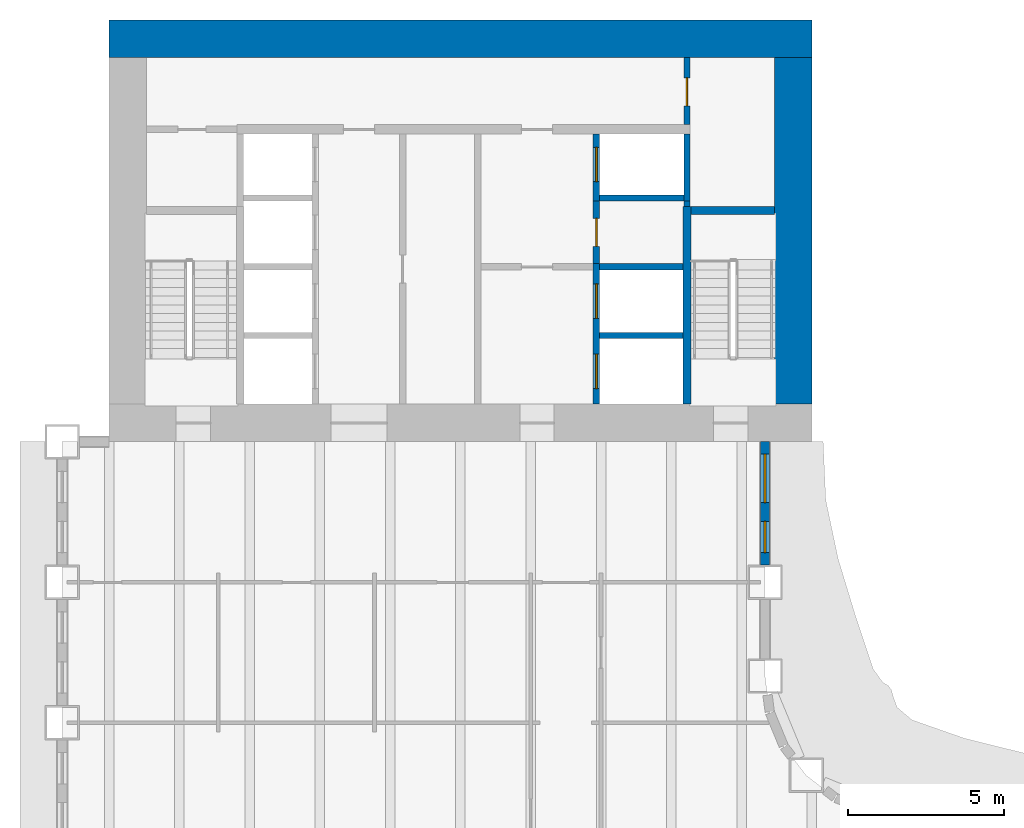
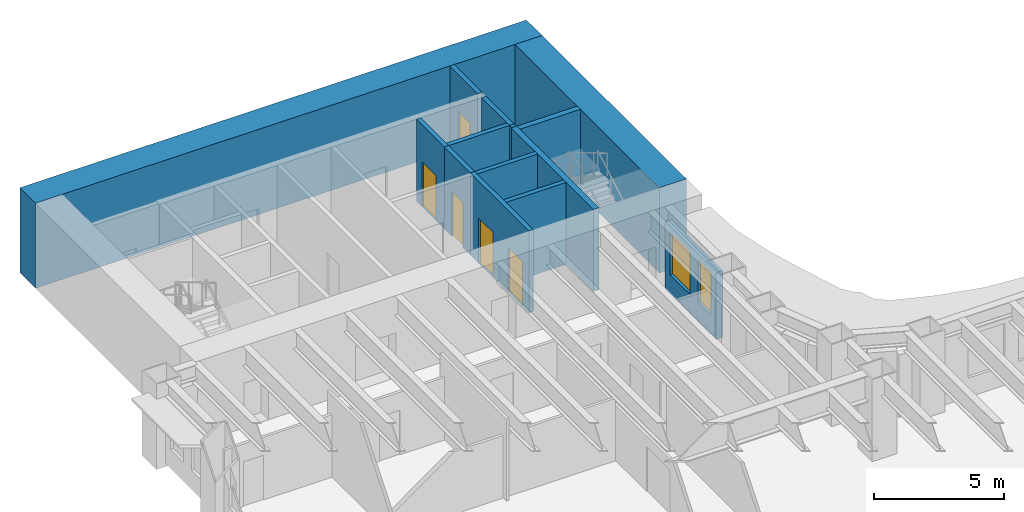
# One storey, part 8 of 15: 14 walls, 5 doors, 2 windows, 7 openings.
"""IFC4 building model written with IfcOpenShell, lengths in metres."""

from ifc_helpers import new_model, si_unit, direction, frame, frame_2d, origin, place, context, subcontext, project, spatial, rectangle, extrude, material, layer, layer_set, type_object, element, fill, save


model = new_model("IFC4")

# Units and contexts
model_context = context("Model", 3, precision=1e-05, world=origin(), true_north=direction((0.0, 1.0)))
body_context = subcontext(model_context, "Body", "Model", "MODEL_VIEW")
ifc_project = project(units=[si_unit("LENGTHUNIT", "METRE"), si_unit("AREAUNIT", "SQUARE_METRE"), si_unit("VOLUMEUNIT", "CUBIC_METRE"), si_unit("PLANEANGLEUNIT", "RADIAN"), si_unit("MASSUNIT", "GRAM", prefix="KILO")], contexts=[model_context])

# Site, building, storey
site_placement = place(None, origin())
site = spatial("IfcSite", under=ifc_project, at=site_placement, CompositionType="ELEMENT")
building_placement = place(site_placement, origin())
building = spatial("IfcBuilding", under=site, at=building_placement, Name="Sennacour Bend Tower", CompositionType="ELEMENT")
storey_placement = place(building_placement, frame((0.0, 0.0, 61.0)))
storey = spatial("IfcBuildingStorey", under=building, at=storey_placement, Name="L13", CompositionType="ELEMENT", Elevation=61.0)

# Walls
ifc_material_1 = material(Name="Concrete C80/95", Category="concrete")
ifc_layer_1 = layer(ifc_material_1, 1.199951171875, Name="Concrete C80/95", Category="concrete")
ifc_layer_set_1 = layer_set([ifc_layer_1], Name="Concrete C80/95")
wall_type_1 = type_object("IfcWallType", Name="Core wall 1200 C80/95", PredefinedType="SHEAR", material=ifc_layer_set_1)
wall_1_placement = place(storey_placement, frame((0.0, 48.89990234375, -0.14990234375), z_axis=(0.0, 0.0, 1.0), x_axis=(1.0, 0.0, 0.0)))
element("IfcWall", 1, at=wall_1_placement, inside=storey, type_object=wall_type_1, Name="Core B wall L13 N", PredefinedType="SHEAR", context=body_context, shape_type="SweptSolid", body=[
    extrude(rectangle(XDim=22.5, YDim=1.199951171875, at=frame_2d((11.25, 0.0))), origin(), (0.0, 0.0, 1.0), 4.0),
])
wall_2_placement = place(storey_placement, frame((21.89990234375, 37.199951171875, -0.14990234375), z_axis=(0.0, 0.0, 1.0), x_axis=(0.0, 1.0, 0.0)))
element("IfcWall", 2, at=wall_2_placement, inside=storey, type_object=wall_type_1, Name="Core B wall L13 E", PredefinedType="SHEAR", context=body_context, shape_type="SweptSolid", body=[
    extrude(rectangle(XDim=11.10009765625, YDim=1.199951171875, at=frame_2d((5.550048828125, 0.0))), origin(), (0.0, 0.0, 1.0), 4.0),
])

# Wall, opening, door
ifc_material_2 = material(Name="Fire-rated plasterboard partition on steel studs", Category="steel")
ifc_layer_2 = layer(ifc_material_2, 0.199951171875, Name="Fire-rated plasterboard partition on steel studs", Category="steel")
ifc_layer_set_2 = layer_set([ifc_layer_2], Name="Fire-rated plasterboard partition on steel studs")
wall_type_2 = type_object("IfcWallType", Name="Rated partition 200", PredefinedType="PARTITIONING", material=ifc_layer_set_2)
wall_3_placement = place(storey_placement, frame((15.60009765625, 41.699951171875, 0.0), z_axis=(0.0, 0.0, 1.0), x_axis=(0.0, 1.0, 0.0)))
wall_3 = element("IfcWall", 3, at=wall_3_placement, inside=storey, type_object=wall_type_2, Name="P-L13-W015", PredefinedType="PARTITIONING", context=body_context, shape_type="SweptSolid", body=[
    extrude(rectangle(XDim=2.0, YDim=0.199951171875, at=frame_2d((1.0, 0.0))), origin(), (0.0, 0.0, 1.0), 3.85009765625),
])
opening_1_placement = place(wall_3_placement, frame((0.550048828125, 0.0, 0.0)))
opening_1 = element("IfcOpeningElement", 4, at=opening_1_placement, cuts=wall_3, Name="Opening SV", PredefinedType="OPENING", context=body_context, shape_type="SweptSolid", body=[
    extrude(rectangle(XDim=0.89990234375, YDim=2.10009765625, at=frame_2d((0.449951171875, 1.050048828125))), frame((0.0, 0.10986328125, 0.0), z_axis=(0.0, -1.0, 0.0), x_axis=(1.0, 0.0, 0.0)), (0.0, 0.0, 1.0), 0.219970703125),
])
ifc_material_3 = material(Name="Painted steel", Category="steel")
door_type_1 = type_object("IfcDoorType", Name="DR-SERVICE-900", OperationType="NOTDEFINED", PredefinedType="DOOR", material=ifc_material_3)
door_1_placement = place(opening_1_placement, origin())
door_1 = element("IfcDoor", 5, at=door_1_placement, inside=storey, type_object=door_type_1, Name="Door", OperationType="SINGLE_SWING_RIGHT", OverallHeight=2.10009765625, OverallWidth=0.89990234375, PredefinedType="DOOR", context=body_context, shape_type="SweptSolid", body=[
    extrude(rectangle(XDim=0.89990234375, YDim=2.10009765625, at=frame_2d((0.449951171875, 1.050048828125))), frame((0.0, 0.02490234375, 0.0), z_axis=(0.0, -1.0, 0.0), x_axis=(1.0, 0.0, 0.0)), (0.0, 0.0, 1.0), 0.050048828125),
])
fill(opening_1, door_1)

# Wall
wall_4_placement = place(storey_placement, frame((18.5, 43.52490234375, 0.0), z_axis=(0.0, 0.0, 1.0), x_axis=(0.0, 1.0, 0.0)))
element("IfcWall", 6, at=wall_4_placement, inside=storey, type_object=wall_type_2, Name="P-L13-W019", PredefinedType="PARTITIONING", context=body_context, shape_type="SweptSolid", body=[
    extrude(rectangle(XDim=0.175048828125, YDim=0.199951171875, at=frame_2d((0.08740234375, 0.0))), origin(), (0.0, 0.0, 1.0), 3.85009765625),
])

# Wall, opening, door
wall_5_placement = place(storey_placement, frame((18.5, 46.14990234375, 0.0), z_axis=(0.0, 0.0, 1.0), x_axis=(0.0, 1.0, 0.0)))
wall_5 = element("IfcWall", 7, at=wall_5_placement, inside=storey, type_object=wall_type_2, Name="P-L13-W021", PredefinedType="PARTITIONING", context=body_context, shape_type="SweptSolid", body=[
    extrude(rectangle(XDim=2.150146484375, YDim=0.199951171875, at=frame_2d((1.0751953125, 0.0))), origin(), (0.0, 0.0, 1.0), 3.85009765625),
])
opening_2_placement = place(wall_5_placement, frame((0.60009765625, 0.0, 0.0)))
opening_2 = element("IfcOpeningElement", 8, at=opening_2_placement, cuts=wall_5, Name="Opening SV", PredefinedType="OPENING", context=body_context, shape_type="SweptSolid", body=[
    extrude(rectangle(XDim=0.89990234375, YDim=2.10009765625, at=frame_2d((0.449951171875, 1.050048828125))), frame((0.0, 0.10986328125, 0.0), z_axis=(0.0, -1.0, 0.0), x_axis=(1.0, 0.0, 0.0)), (0.0, 0.0, 1.0), 0.219970703125),
])
door_2_placement = place(opening_2_placement, origin())
door_2 = element("IfcDoor", 9, at=door_2_placement, inside=storey, type_object=door_type_1, Name="Door", OperationType="SINGLE_SWING_LEFT", OverallHeight=2.10009765625, OverallWidth=0.89990234375, PredefinedType="DOOR", context=body_context, shape_type="SweptSolid", body=[
    extrude(rectangle(XDim=0.89990234375, YDim=2.10009765625, at=frame_2d((0.449951171875, 1.050048828125))), frame((0.0, 0.02490234375, 0.0), z_axis=(0.0, -1.0, 0.0), x_axis=(1.0, 0.0, 0.0)), (0.0, 0.0, 1.0), 0.050048828125),
])
fill(opening_2, door_2)

# Wall, openings, windows
ifc_material_4 = material(Name="Warm limestone cladding", Category="masonry")
ifc_layer_3 = layer(ifc_material_4, 0.050048828125, Name="Warm limestone cladding", Category="masonry")
ifc_material_5 = material(Name="Precast concrete C40/50", Category="concrete")
ifc_layer_4 = layer(ifc_material_5, 0.25, Name="Precast concrete C40/50", Category="concrete")
ifc_layer_set_3 = layer_set([ifc_layer_3, ifc_layer_4], Name="Precast concrete C40/50 with limestone cladding")
wall_type_3 = type_object("IfcWallType", Name="STONE-CLAD PRECAST SPANDREL 300", PredefinedType="STANDARD", material=ifc_layer_set_3)
wall_6_placement = place(storey_placement, frame((21.0, 32.050048828125, 0.0), z_axis=(0.0, 0.0, 1.0), x_axis=(0.0, 1.0, 0.0)))
wall_6 = element("IfcWall", 10, at=wall_6_placement, inside=storey, type_object=wall_type_3, Name="Stone spandrel and pier wall L13 15.01", PredefinedType="STANDARD", context=body_context, shape_type="SweptSolid", body=[
    extrude(rectangle(XDim=3.949951171875, YDim=0.300048828125, at=frame_2d((1.97509765625, 0.0))), origin(), (0.0, 0.0, 1.0), 3.14404296875),
])
opening_3_placement = place(wall_6_placement, frame((0.39990234375, 0.0, 0.89990234375)))
opening_3 = element("IfcOpeningElement", 11, at=opening_3_placement, cuts=wall_6, Name="Opening W8", PredefinedType="OPENING", context=body_context, shape_type="SweptSolid", body=[
    extrude(rectangle(XDim=1.0, YDim=2.0, at=frame_2d((0.5, 1.0))), frame((0.0, 0.16015625, 0.0), z_axis=(0.0, -1.0, 0.0), x_axis=(1.0, 0.0, 0.0)), (0.0, 0.0, 1.0), 0.320068359375),
])
opening_4_placement = place(wall_6_placement, frame((2.0, 0.0, 0.89990234375)))
opening_4 = element("IfcOpeningElement", 12, at=opening_4_placement, cuts=wall_6, Name="Opening W9", PredefinedType="OPENING", context=body_context, shape_type="SweptSolid", body=[
    extrude(rectangle(XDim=1.550048828125, YDim=2.0, at=frame_2d((0.77490234375, 1.0))), frame((0.0, 0.16015625, 0.0), z_axis=(0.0, -1.0, 0.0), x_axis=(1.0, 0.0, 0.0)), (0.0, 0.0, 1.0), 0.320068359375),
])
ifc_material_6 = material(Name="Clear low-emissivity glass", Category="glass")
window_type_1 = type_object("IfcWindowType", Name="WIN-RIBBON-1000x2000", PartitioningType="SINGLE_PANEL", PredefinedType="WINDOW", material=ifc_material_6)
window_1_placement = place(opening_3_placement, origin())
window_1 = element("IfcWindow", 13, at=window_1_placement, inside=storey, type_object=window_type_1, Name="Ribbon window L13 15.01.0", OverallHeight=2.0, OverallWidth=1.0, PartitioningType="SINGLE_PANEL", PredefinedType="WINDOW", context=body_context, shape_type="SweptSolid", body=[
    extrude(rectangle(XDim=1.0, YDim=2.0, at=frame_2d((0.5, 1.0))), frame((0.0, 0.030029296875, 0.0), z_axis=(0.0, -1.0, 0.0), x_axis=(1.0, 0.0, 0.0)), (0.0, 0.0, 1.0), 0.06005859375),
])
fill(opening_3, window_1)
window_type_2 = type_object("IfcWindowType", Name="WIN-RIBBON-1550x2000", PartitioningType="SINGLE_PANEL", PredefinedType="WINDOW", material=ifc_material_6)
window_2_placement = place(opening_4_placement, origin())
window_2 = element("IfcWindow", 14, at=window_2_placement, inside=storey, type_object=window_type_2, Name="Ribbon window L13 15.01.1", OverallHeight=2.0, OverallWidth=1.550048828125, PartitioningType="SINGLE_PANEL", PredefinedType="WINDOW", context=body_context, shape_type="SweptSolid", body=[
    extrude(rectangle(XDim=1.550048828125, YDim=2.0, at=frame_2d((0.77490234375, 1.0))), frame((0.0, 0.030029296875, 0.0), z_axis=(0.0, -1.0, 0.0), x_axis=(1.0, 0.0, 0.0)), (0.0, 0.0, 1.0), 0.06005859375),
])
fill(opening_4, window_2)

# Wall, openings, doors
ifc_material_7 = material(Name="Concrete C50/60", Category="concrete")
ifc_layer_5 = layer(ifc_material_7, 0.199951171875, Name="Concrete C50/60", Category="concrete")
ifc_layer_set_4 = layer_set([ifc_layer_5], Name="Concrete C50/60")
wall_type_4 = type_object("IfcWallType", Name="Shaft wall 200", PredefinedType="SOLIDWALL", material=ifc_layer_set_4)
wall_7_placement = place(storey_placement, frame((15.60009765625, 37.199951171875, 0.0), z_axis=(0.0, 0.0, 1.0), x_axis=(0.0, 1.0, 0.0)))
wall_7 = element("IfcWall", 15, at=wall_7_placement, inside=storey, type_object=wall_type_4, Name="P-L13-W014", PredefinedType="SOLIDWALL", context=body_context, shape_type="SweptSolid", body=[
    extrude(rectangle(XDim=4.5, YDim=0.199951171875, at=frame_2d((2.25, 0.0))), origin(), (0.0, 0.0, 1.0), 3.85009765625),
])
opening_5_placement = place(wall_7_placement, frame((0.5, 0.0, 0.011962890625)))
opening_5 = element("IfcOpeningElement", 16, at=opening_5_placement, cuts=wall_7, Name="Opening FLD", PredefinedType="OPENING", context=body_context, shape_type="SweptSolid", body=[
    extrude(rectangle(XDim=1.10009765625, YDim=2.10009765625, at=frame_2d((0.550048828125, 1.050048828125))), frame((0.0, 0.10986328125, 0.0), z_axis=(0.0, -1.0, 0.0), x_axis=(1.0, 0.0, 0.0)), (0.0, 0.0, 1.0), 0.219970703125),
])
opening_6_placement = place(wall_7_placement, frame((2.75, 0.0, 0.011962890625)))
opening_6 = element("IfcOpeningElement", 17, at=opening_6_placement, cuts=wall_7, Name="Opening FLD", PredefinedType="OPENING", context=body_context, shape_type="SweptSolid", body=[
    extrude(rectangle(XDim=1.10009765625, YDim=2.10009765625, at=frame_2d((0.550048828125, 1.050048828125))), frame((0.0, 0.10986328125, 0.0), z_axis=(0.0, -1.0, 0.0), x_axis=(1.0, 0.0, 0.0)), (0.0, 0.0, 1.0), 0.219970703125),
])
ifc_material_8 = material(Name="Stainless steel", Category="steel")
door_type_2 = type_object("IfcDoorType", Name="DR-FF-LANDING-1100", OperationType="NOTDEFINED", PredefinedType="DOOR", material=ifc_material_8)
door_3_placement = place(opening_5_placement, origin())
door_3 = element("IfcDoor", 18, at=door_3_placement, inside=storey, type_object=door_type_2, Name="Fire service lift landing door FB1", OperationType="SLIDING_TO_LEFT", OverallHeight=2.10009765625, OverallWidth=1.10009765625, PredefinedType="DOOR", context=body_context, shape_type="SweptSolid", body=[
    extrude(rectangle(XDim=1.10009765625, YDim=2.10009765625, at=frame_2d((0.550048828125, 1.050048828125))), frame((0.0, 0.02490234375, 0.0), z_axis=(0.0, -1.0, 0.0), x_axis=(1.0, 0.0, 0.0)), (0.0, 0.0, 1.0), 0.050048828125),
])
fill(opening_5, door_3)
door_4_placement = place(opening_6_placement, origin())
door_4 = element("IfcDoor", 19, at=door_4_placement, inside=storey, type_object=door_type_2, Name="Fire service lift landing door FB2", OperationType="SLIDING_TO_RIGHT", OverallHeight=2.10009765625, OverallWidth=1.10009765625, PredefinedType="DOOR", context=body_context, shape_type="SweptSolid", body=[
    extrude(rectangle(XDim=1.10009765625, YDim=2.10009765625, at=frame_2d((0.550048828125, 1.050048828125))), frame((0.0, 0.02490234375, 0.0), z_axis=(0.0, -1.0, 0.0), x_axis=(1.0, 0.0, 0.0)), (0.0, 0.0, 1.0), 0.050048828125),
])
fill(opening_6, door_4)

# Wall, opening, door
wall_8_placement = place(storey_placement, frame((15.60009765625, 43.699951171875, 0.0), z_axis=(0.0, 0.0, 1.0), x_axis=(0.0, 1.0, 0.0)))
wall_8 = element("IfcWall", 20, at=wall_8_placement, inside=storey, type_object=wall_type_4, Name="P-L13-W016", PredefinedType="SOLIDWALL", context=body_context, shape_type="SweptSolid", body=[
    extrude(rectangle(XDim=2.150146484375, YDim=0.199951171875, at=frame_2d((1.0751953125, 0.0))), origin(), (0.0, 0.0, 1.0), 3.85009765625),
])
opening_7_placement = place(wall_8_placement, frame((0.625, 0.0, 0.011962890625)))
opening_7 = element("IfcOpeningElement", 21, at=opening_7_placement, cuts=wall_8, Name="Opening LD", PredefinedType="OPENING", context=body_context, shape_type="SweptSolid", body=[
    extrude(rectangle(XDim=1.10009765625, YDim=2.10009765625, at=frame_2d((0.550048828125, 1.050048828125))), frame((0.0, 0.10986328125, 0.0), z_axis=(0.0, -1.0, 0.0), x_axis=(1.0, 0.0, 0.0)), (0.0, 0.0, 1.0), 0.219970703125),
])
door_type_3 = type_object("IfcDoorType", Name="DR-LANDING-1100", OperationType="NOTDEFINED", PredefinedType="DOOR", material=ifc_material_8)
door_5_placement = place(opening_7_placement, origin())
door_5 = element("IfcDoor", 22, at=door_5_placement, inside=storey, type_object=door_type_3, Name="Lift landing door LB5", OperationType="SLIDING_TO_LEFT", OverallHeight=2.10009765625, OverallWidth=1.10009765625, PredefinedType="DOOR", context=body_context, shape_type="SweptSolid", body=[
    extrude(rectangle(XDim=1.10009765625, YDim=2.10009765625, at=frame_2d((0.550048828125, 1.050048828125))), frame((0.0, 0.02490234375, 0.0), z_axis=(0.0, -1.0, 0.0), x_axis=(1.0, 0.0, 0.0)), (0.0, 0.0, 1.0), 0.050048828125),
])
fill(opening_7, door_5)

# Walls
wall_9_placement = place(storey_placement, frame((18.5, 43.699951171875, 0.0), z_axis=(0.0, 0.0, 1.0), x_axis=(0.0, 1.0, 0.0)))
element("IfcWall", 23, at=wall_9_placement, inside=storey, type_object=wall_type_4, Name="P-L13-W020", PredefinedType="SOLIDWALL", context=body_context, shape_type="SweptSolid", body=[
    extrude(rectangle(XDim=2.150146484375, YDim=0.199951171875, at=frame_2d((1.0751953125, 0.0))), origin(), (0.0, 0.0, 1.0), 3.85009765625),
])
for number, where, z_axis, x_axis, name in (
    (24, (15.699951171875, 39.39990234375, 0.0), (0.0, 0.0, 1.0), (1.0, 0.0, 0.0), "P-L13-W073"),
    (25, (15.699951171875, 41.60009765625, 0.0), (0.0, 0.0, 1.0), (1.0, 0.0, 0.0), "P-L13-W076"),
):
    element("IfcWall", number, at=place(storey_placement, frame(where, z_axis=z_axis, x_axis=x_axis)), inside=storey, type_object=wall_type_4, Name=name, PredefinedType="SOLIDWALL", context=body_context, shape_type="SweptSolid", body=[
        extrude(rectangle(XDim=2.675048828125, YDim=0.199951171875, at=frame_2d((1.33740234375, 0.0))), origin(), (0.0, 0.0, 1.0), 3.85009765625),
    ])
wall_10_placement = place(storey_placement, frame((15.699951171875, 43.800048828125, 0.0), z_axis=(0.0, 0.0, 1.0), x_axis=(1.0, 0.0, 0.0)))
element("IfcWall", 26, at=wall_10_placement, inside=storey, type_object=wall_type_4, Name="P-L13-W080", PredefinedType="SOLIDWALL", context=body_context, shape_type="SweptSolid", body=[
    extrude(rectangle(XDim=2.699951171875, YDim=0.199951171875, at=frame_2d((1.35009765625, 0.0))), origin(), (0.0, 0.0, 1.0), 3.85009765625),
])
ifc_material_9 = material(Name="Concrete C60/75", Category="concrete")
ifc_layer_6 = layer(ifc_material_9, 0.25, Name="Concrete C60/75", Category="concrete")
ifc_layer_set_5 = layer_set([ifc_layer_6], Name="Concrete C60/75")
wall_type_5 = type_object("IfcWallType", Name="Stair wall 250", PredefinedType="SHEAR", material=ifc_layer_set_5)
wall_11_placement = place(storey_placement, frame((18.5, 37.199951171875, 0.0), z_axis=(0.0, 0.0, 1.0), x_axis=(0.0, 1.0, 0.0)))
element("IfcWall", 27, at=wall_11_placement, inside=storey, type_object=wall_type_5, Name="P-L13-W018", PredefinedType="SHEAR", context=body_context, shape_type="SweptSolid", body=[
    extrude(rectangle(XDim=6.324951171875, YDim=0.25, at=frame_2d((3.16259765625, 0.0))), origin(), (0.0, 0.0, 1.0), 3.85009765625),
])
wall_12_placement = place(storey_placement, frame((18.625, 43.39990234375, 0.0), z_axis=(0.0, 0.0, 1.0), x_axis=(1.0, 0.0, 0.0)))
element("IfcWall", 28, at=wall_12_placement, inside=storey, type_object=wall_type_5, Name="P-L13-W078", PredefinedType="SHEAR", context=body_context, shape_type="SweptSolid", body=[
    extrude(rectangle(XDim=2.675048828125, YDim=0.25, at=frame_2d((1.33740234375, 0.0))), origin(), (0.0, 0.0, 1.0), 3.85009765625),
])

save(model, "model.ifc")
